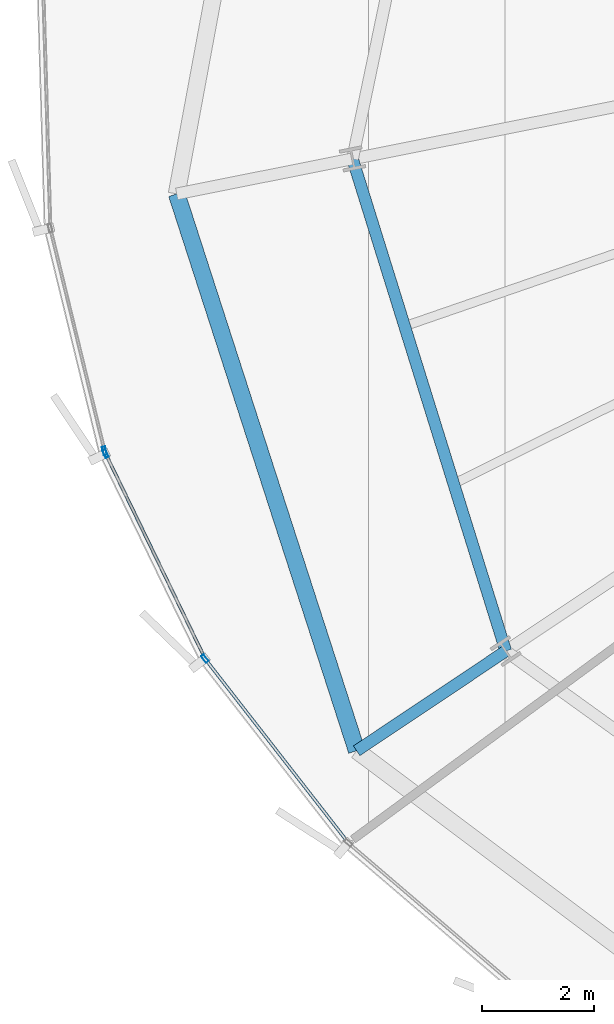
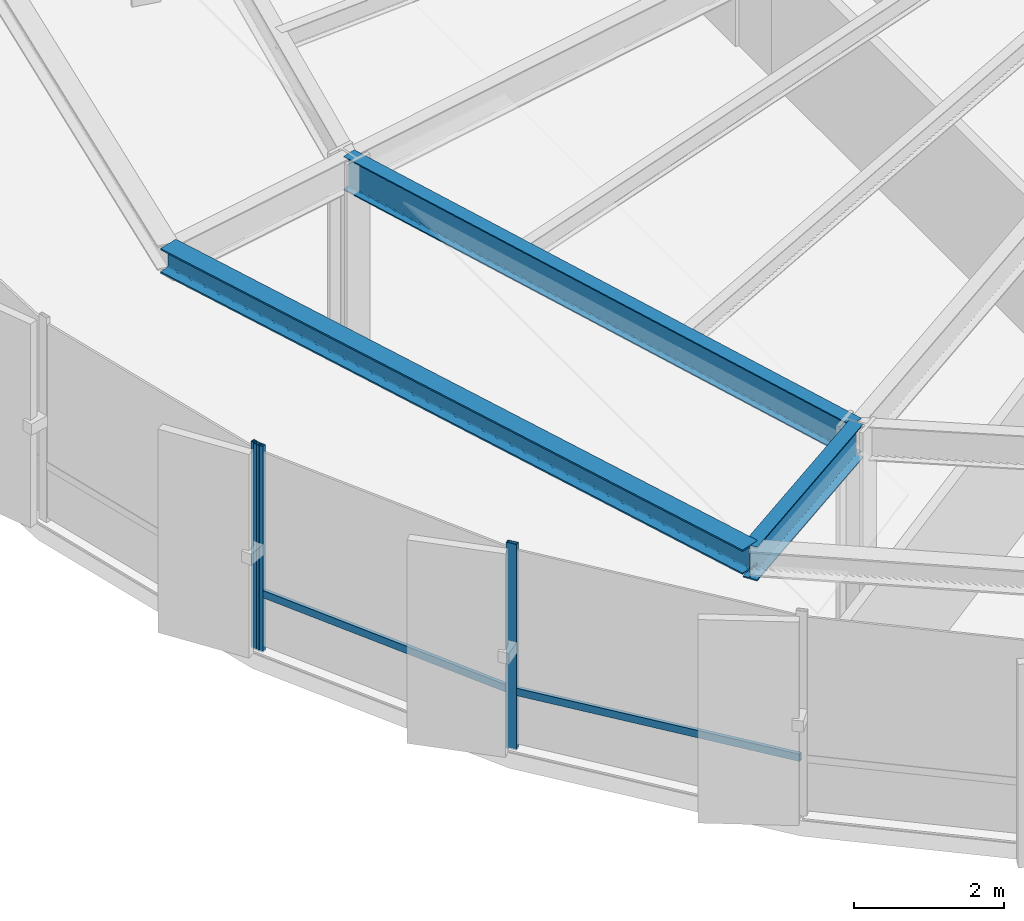
# One storey, part 3 of 33: 5 members, 3 beams, 2 elements without a shape of their own.
"""IFC4 building model written with IfcOpenShell, lengths in metres."""

from ifc_helpers import new_model, si_unit, direction, frame, origin, origin_2d, place, context, subcontext, project, spatial, hollow_rectangle, i_section, extrude, source, transform, mapped, material, layer, layer_set, material_profile, profile_set, type_object, element, aggregate, save


model = new_model("IFC4")

# Units and contexts
model_context = context("Model", 3, precision=1e-05, world=origin(), true_north=direction((0.0, 1.0)))
body_context = subcontext(model_context, "Body", "Model", "MODEL_VIEW")
ifc_project = project(units=[si_unit("LENGTHUNIT", "METRE"), si_unit("AREAUNIT", "SQUARE_METRE"), si_unit("VOLUMEUNIT", "CUBIC_METRE"), si_unit("PLANEANGLEUNIT", "RADIAN"), si_unit("MASSUNIT", "GRAM", prefix="KILO"), si_unit("THERMODYNAMICTEMPERATUREUNIT", "KELVIN")], contexts=[model_context])

# Site, building, storey
site_placement = place(None, origin())
site = spatial("IfcSite", under=ifc_project, at=site_placement, CompositionType="ELEMENT")
building_placement = place(site_placement, origin())
building = spatial("IfcBuilding", under=site, at=building_placement, Name="Kethvar Cultural Tower", CompositionType="ELEMENT")
storey_placement = place(building_placement, frame((0.0, 0.0, 114.39990234375)))
storey = spatial("IfcBuildingStorey", under=building, at=storey_placement, Name="L28", CompositionType="ELEMENT", Elevation=114.39990234375)

# Beams
ifc_material_1 = material(Name="Steel S355J2", Category="steel")
ifc_material_profile_1 = material_profile(ifc_material_1, i_section(OverallWidth=0.2099609375, OverallDepth=0.550048828125, WebThickness=0.010986328125, FlangeThickness=0.01708984375, FilletRadius=0.02392578125, at=origin_2d()), Name="Steel S355J2 — IPE550")
ifc_profile_set_1 = profile_set([ifc_material_profile_1], Name="Steel S355J2 — IPE550")
beam_type_1 = type_object("IfcBeamType", Name="BM-IPE550", PredefinedType="BEAM", material=ifc_profile_set_1)
shared_shape_1 = source(origin(), body_context, "Body", "SweptSolid", [
    extrude(i_section(OverallWidth=0.2099609375, OverallDepth=0.550048828125, WebThickness=0.010986328125, FlangeThickness=0.01708984375, FilletRadius=0.02392578125, at=origin_2d()), origin(), (0.0, 0.0, 1.0), 3.199951171875),
])
beam_1_placement = place(storey_placement, frame((26.920654296875, 14.51708984375, 3.072998046875), z_axis=(-0.831462943996, -0.555580212716, 0.0), x_axis=(0.555580212716, -0.831462943996, 0.0)))
element("IfcBeam", 1, at=beam_1_placement, inside=storey, type_object=beam_type_1, Name="L28 Perimeter Cantilever Beam RC-10", PredefinedType="BEAM", context=body_context, shape_type="MappedRepresentation", body=[
    mapped(shared_shape_1, transform((0.0, 0.0, 0.0), scale=1.0)),
])
shared_shape_2 = source(origin(), body_context, "Body", "SweptSolid", [
    extrude(i_section(OverallWidth=0.2099609375, OverallDepth=0.550048828125, WebThickness=0.010986328125, FlangeThickness=0.01708984375, FilletRadius=0.02392578125, at=origin_2d()), origin(), (0.0, 0.0, 1.0), 9.20068359375),
])
beam_2_placement = place(storey_placement, frame((24.185302734375, 23.3017578125, 3.072998046875), z_axis=(0.297298800285, -0.954784490526, 0.0), x_axis=(0.954784490526, 0.297298800285, 0.0)))
element("IfcBeam", 2, at=beam_2_placement, inside=storey, type_object=beam_type_1, Name="L28 Column Ring Tie Beam CR-09", PredefinedType="BEAM", context=body_context, shape_type="MappedRepresentation", body=[
    mapped(shared_shape_2, transform((0.0, 0.0, 0.0), scale=1.0)),
])
ifc_material_profile_2 = material_profile(ifc_material_1, i_section(OverallWidth=0.300048828125, OverallDepth=0.39990234375, WebThickness=0.013427734375, FlangeThickness=0.02392578125, FilletRadius=0.027099609375, at=origin_2d()), Name="Steel S355J2 — HEB400")
ifc_profile_set_2 = profile_set([ifc_material_profile_2], Name="Steel S355J2 — HEB400")
beam_type_2 = type_object("IfcBeamType", Name="BM-SP400", PredefinedType="SPANDREL", material=ifc_profile_set_2)
shared_shape_3 = source(origin(), body_context, "Body", "SweptSolid", [
    extrude(i_section(OverallWidth=0.300048828125, OverallDepth=0.39990234375, WebThickness=0.013427734375, FlangeThickness=0.02392578125, FilletRadius=0.027099609375, at=origin_2d()), origin(), (0.0, 0.0, 1.0), 10.44482421875),
])
beam_3_placement = place(storey_placement, frame((21.046875, 22.677490234375, 3.148193359375), z_axis=(0.307631709258, -0.951505507845, 0.0), x_axis=(0.951505507845, 0.307631709258, 0.0)))
element("IfcBeam", 3, at=beam_3_placement, inside=storey, type_object=beam_type_2, Name="L28 Perimeter Spandrel Beam SP-09", PredefinedType="SPANDREL", context=body_context, shape_type="MappedRepresentation", body=[
    mapped(shared_shape_3, transform((0.0, 0.0, 0.0), scale=1.0)),
])

# Curtain wall, member
ifc_material_2 = material(Name="Aluminium 6063-T6", Category="aluminium")
ifc_layer = layer(ifc_material_2, 0.179931640625, Name="Aluminium 6063-T6", Category="aluminium")
ifc_layer_set = layer_set([ifc_layer], Name="Aluminium 6063-T6 (180 mm)")
curtain_wall_type = type_object("IfcCurtainWallType", Name="CW-SYS-03-Z2", PredefinedType="NOTDEFINED", material=ifc_layer_set)
curtain_wall_1_placement = place(storey_placement, origin())
curtain_wall_1 = element("IfcCurtainWall", 4, at=curtain_wall_1_placement, inside=storey, type_object=curtain_wall_type, Name="L28 Curtain Wall Run 03", PredefinedType="NOTDEFINED")
ifc_material_profile_3 = material_profile(ifc_material_2, hollow_rectangle(XDim=0.06005859375, YDim=0.14990234375, WallThickness=0.0048828125, at=origin_2d()), Name="Aluminium 6063-T6 — RHS150x60x5")
ifc_profile_set_3 = profile_set([ifc_material_profile_3], Name="Aluminium 6063-T6 — RHS150x60x5")
member_type_1 = type_object("IfcMemberType", Name="CW-SYS-03-Z2-MUL", PredefinedType="MULLION", material=ifc_profile_set_3)
shared_shape_4 = source(origin(), body_context, "Body", "SweptSolid", [
    extrude(hollow_rectangle(XDim=0.06005859375, YDim=0.14990234375, WallThickness=0.0048828125, at=origin_2d()), origin(), (0.0, 0.0, 1.0), 3.35009765625),
])
member_1_placement = place(storey_placement, frame((19.75927734375, 18.093017578125, 0.0), z_axis=(0.0, 0.0, 1.0), x_axis=(0.971516041684, 0.236973797604, 0.0)))
member_1 = element("IfcMember", 5, at=member_1_placement, type_object=member_type_1, Name="CW-L28-R03 Mullion 7", PredefinedType="MULLION", context=body_context, shape_type="MappedRepresentation", body=[
    mapped(shared_shape_4, transform((0.0, 0.0, 0.0), scale=1.0)),
])
aggregate(curtain_wall_1, [member_1])

# Curtain wall, members
curtain_wall_2_placement = place(storey_placement, origin())
curtain_wall_2 = element("IfcCurtainWall", 6, at=curtain_wall_2_placement, inside=storey, type_object=curtain_wall_type, Name="L28 Curtain Wall Run 04", PredefinedType="NOTDEFINED")
member_2_placement = place(storey_placement, frame((19.77734375, 18.04296875, 0.0), z_axis=(0.0, 0.0, 1.0), x_axis=(0.899618759221, 0.43667618215, 0.0)))
member_2 = element("IfcMember", 7, at=member_2_placement, type_object=member_type_1, Name="CW-L28-R04 Mullion 1", PredefinedType="MULLION", context=body_context, shape_type="MappedRepresentation", body=[
    mapped(shared_shape_4, transform((0.0, 0.0, 0.0), scale=1.0)),
])
member_3_placement = place(storey_placement, frame((21.551025390625, 14.383056640625, 0.0), z_axis=(0.0, 0.0, 1.0), x_axis=(0.789073363415, 0.614298972121, 0.0)))
member_3 = element("IfcMember", 8, at=member_3_placement, type_object=member_type_1, Name="CW-L28-R04 Mullion 2", PredefinedType="MULLION", context=body_context, shape_type="MappedRepresentation", body=[
    mapped(shared_shape_4, transform((0.0, 0.0, 0.0), scale=1.0)),
])
ifc_material_profile_4 = material_profile(ifc_material_2, hollow_rectangle(XDim=0.054931640625, YDim=0.1201171875, WallThickness=0.00390625, at=origin_2d()), Name="Aluminium 6063-T6 — RHS120x55x4")
ifc_profile_set_4 = profile_set([ifc_material_profile_4], Name="Aluminium 6063-T6 — RHS120x55x4")
member_type_2 = type_object("IfcMemberType", Name="CW-SYS-03-Z2-TRN", PredefinedType="USERDEFINED", material=ifc_profile_set_4)
shared_shape_5 = source(origin(), body_context, "Body", "SweptSolid", [
    extrude(hollow_rectangle(XDim=0.054931640625, YDim=0.1201171875, WallThickness=0.00390625, at=origin_2d()), origin(), (0.0, 0.0, 1.0), 4.043701171875),
])
member_4_placement = place(storey_placement, frame((19.779052734375, 18.039306640625, 0.9501953125), z_axis=(0.436701567547, -0.899606436672, 0.0), x_axis=(0.899606436672, 0.436701567547, 0.0)))
member_4 = element("IfcMember", 9, at=member_4_placement, type_object=member_type_2, Name="CW-L28-R04 Transom 1", ObjectType="TRANSOM", PredefinedType="USERDEFINED", context=body_context, shape_type="MappedRepresentation", body=[
    mapped(shared_shape_5, transform((0.0, 0.0, 0.0), scale=1.0)),
])
shared_shape_6 = source(origin(), body_context, "Body", "SweptSolid", [
    extrude(hollow_rectangle(XDim=0.054931640625, YDim=0.1201171875, WallThickness=0.00390625, at=origin_2d()), origin(), (0.0, 0.0, 1.0), 4.102783203125),
])
member_5_placement = place(storey_placement, frame((21.57763671875, 14.34912109375, 0.9501953125), z_axis=(0.614270126164, -0.789095819342, 0.0), x_axis=(0.789095819342, 0.614270126164, 0.0)))
member_5 = element("IfcMember", 10, at=member_5_placement, type_object=member_type_2, Name="CW-L28-R04 Transom 2", ObjectType="TRANSOM", PredefinedType="USERDEFINED", context=body_context, shape_type="MappedRepresentation", body=[
    mapped(shared_shape_6, transform((0.0, 0.0, 0.0), scale=1.0)),
])
aggregate(curtain_wall_2, [member_2, member_3, member_4, member_5])

save(model, "model.ifc")
